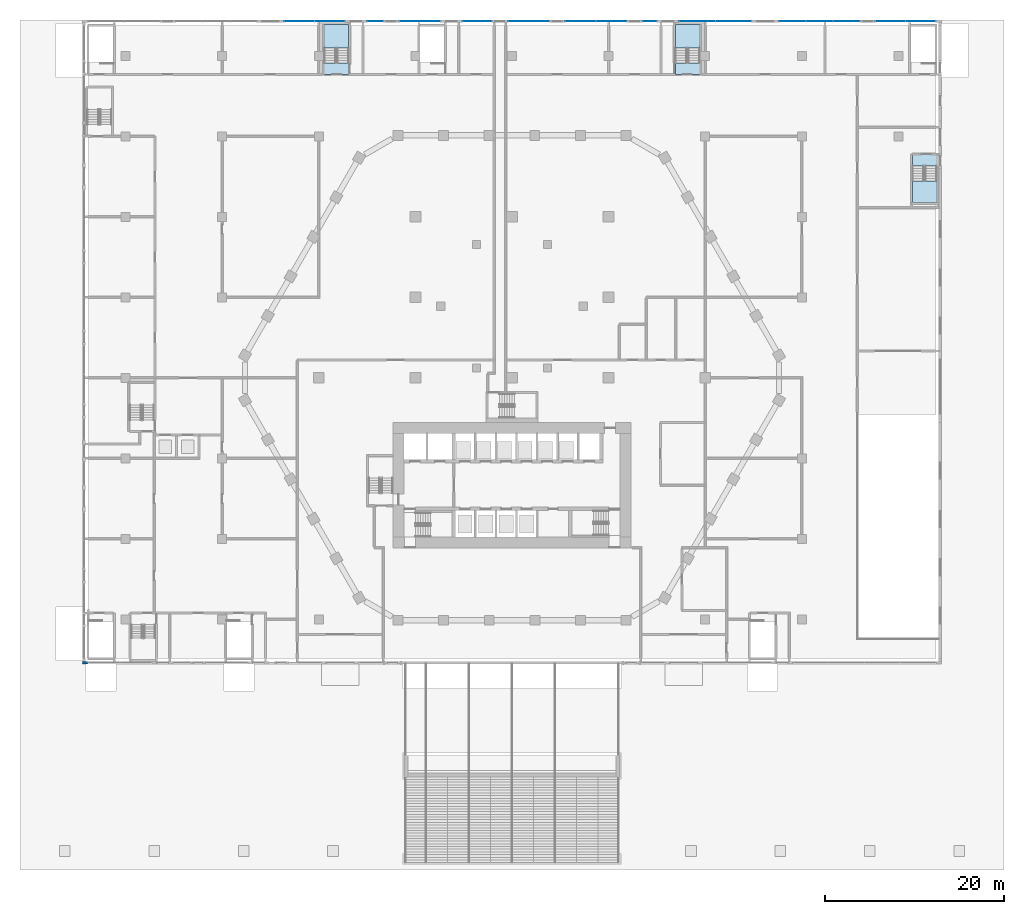
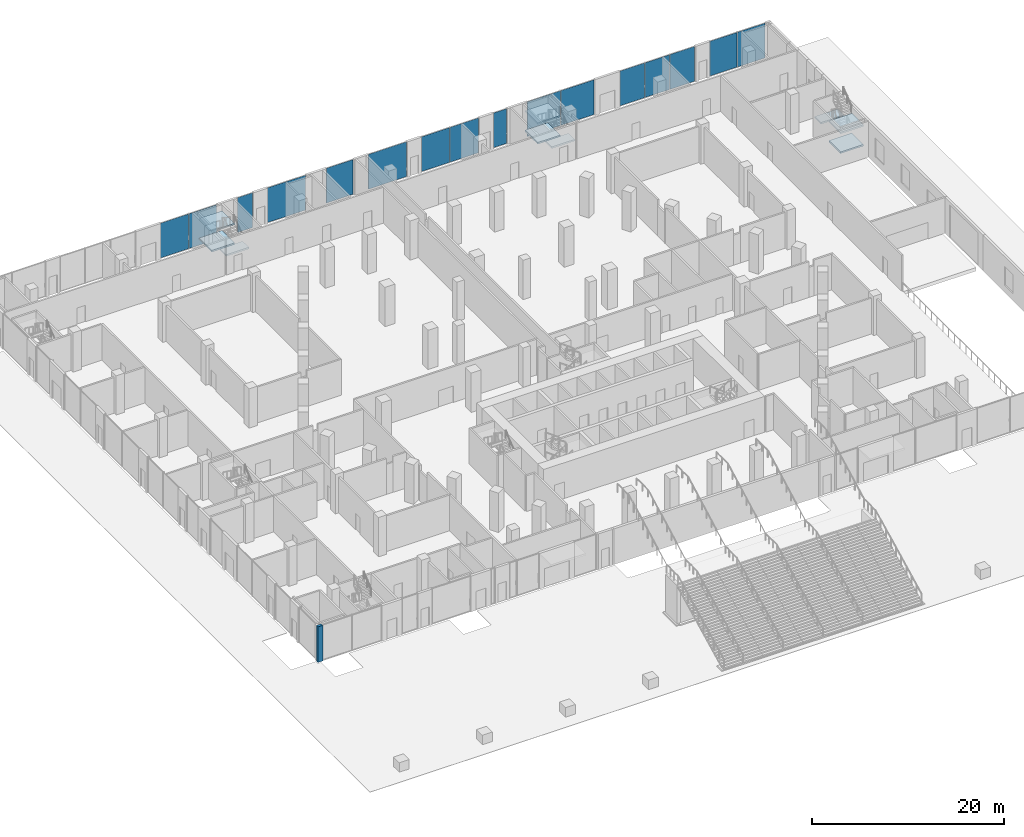
# One storey, part 19 of 57: 16 plates, 9 slabs, 1 wall, 13 elements without a shape of their own.
"""IFC4 building model written with IfcOpenShell, lengths in metres."""

import ifcopenshell
import ifcopenshell.guid

model = None  # the IFC model being written
_history = None  # IfcOwnerHistory: only IFC2X3 demands one
_inside = {}  # id of a spatial element -> (the spatial element, [elements in it])
_under = {}  # id of a project, library or spatial element -> (it, [spatial elements below it])
_declared = {}  # id of a project -> (the project, [libraries it declares])
_typed = {}  # id of a type object -> (the type object, [elements of that type])
_made_of = {}  # id of a material, layer set ... -> (it, [elements and type objects made of it])


def new_model(schema):
    """Start an empty IFC model of exactly this schema.

    Asked for "IFC4X3", IfcOpenShell would pick the latest addendum, in which some entities
    have other attributes; the version numbers below select the first issue.
    IFC2X3 requires an IfcOwnerHistory on every rooted entity: one is made here for all.
    """
    global model, _history
    if schema == "IFC4X3":
        model = ifcopenshell.file(schema_version=(4, 3, 0, 0))
    else:
        model = ifcopenshell.file(schema=schema)
    _inside.clear()
    _under.clear()
    _declared.clear()
    _typed.clear()
    _made_of.clear()
    _history = None
    if model.schema == "IFC2X3":
        org = make("IfcOrganization", Name="unknown")
        user = make(
            "IfcPersonAndOrganization",
            ThePerson=make("IfcPerson", FamilyName="unknown"),
            TheOrganization=org,
        )
        app = make(
            "IfcApplication",
            ApplicationDeveloper=org,
            Version="unknown",
            ApplicationFullName="unknown",
            ApplicationIdentifier="unknown",
        )
        _history = make(
            "IfcOwnerHistory",
            OwningUser=user,
            OwningApplication=app,
            ChangeAction="ADDED",
            CreationDate=0,
        )
    return model


def make(cls, **values):
    """One entity of the class cls with the attributes given. An attribute that is None is left unset."""
    return model.create_entity(
        cls, **{name: value for name, value in values.items() if value is not None}
    )


def rooted(cls, **values):
    """An entity with a GlobalId (a new one), such as an element, a storey or a relation."""
    return make(cls, GlobalId=ifcopenshell.guid.new(), OwnerHistory=_history, **values)


def si_unit(unit_type, name, prefix=None):
    """IfcSIUnit, for example si_unit("LENGTHUNIT", "METRE", prefix="MILLI")."""
    return make("IfcSIUnit", UnitType=unit_type, Prefix=prefix, Name=name)


def assignment(units):
    """IfcUnitAssignment: the units of a project."""
    return None if units is None else make("IfcUnitAssignment", Units=units)


def point(xyz):
    """IfcCartesianPoint."""
    return None if xyz is None else make("IfcCartesianPoint", Coordinates=xyz)


def direction(xyz):
    """IfcDirection."""
    return None if xyz is None else make("IfcDirection", DirectionRatios=xyz)


def frame(location, z_axis=None, x_axis=None):
    """IfcAxis2Placement3D, a coordinate frame: its origin and axes. An axis left out is left unset."""
    return make(
        "IfcAxis2Placement3D",
        Location=point(location),
        Axis=direction(z_axis),
        RefDirection=direction(x_axis),
    )


def frame_2d(location, x_axis=None):
    """IfcAxis2Placement2D, a coordinate frame in the plane: its origin and x axis."""
    return make(
        "IfcAxis2Placement2D", Location=point(location), RefDirection=direction(x_axis)
    )


def origin():
    """The frame at (0, 0, 0) with its axes left unset."""
    return frame((0.0, 0.0, 0.0))


def origin_2d():
    """The frame at (0, 0) in the plane with its x axis left unset."""
    return frame_2d((0.0, 0.0))


def place(relative_to, where):
    """IfcLocalPlacement: puts the frame where relative to a parent placement (None: the world)."""
    return make(
        "IfcLocalPlacement", PlacementRelTo=relative_to, RelativePlacement=where
    )


def context(
    kind, dimensions, precision=None, world=None, true_north=None, identifier=None
):
    """IfcGeometricRepresentationContext, for example the 3D "Model" context."""
    return make(
        "IfcGeometricRepresentationContext",
        ContextIdentifier=identifier,
        ContextType=kind,
        CoordinateSpaceDimension=dimensions,
        Precision=precision,
        WorldCoordinateSystem=world,
        TrueNorth=true_north,
    )


def subcontext(parent, identifier, kind, view, scale=None):
    """IfcGeometricRepresentationSubContext, for example "Body" below "Model"."""
    return make(
        "IfcGeometricRepresentationSubContext",
        ContextIdentifier=identifier,
        ContextType=kind,
        ParentContext=parent,
        TargetScale=scale,
        TargetView=view,
    )


def project(units=None, contexts=None):
    """IfcProject with its units and contexts."""
    return rooted(
        "IfcProject",
        Name="project",
        RepresentationContexts=contexts,
        UnitsInContext=assignment(units),
    )


def spatial(cls, under=None, at=None, **own):
    """A site, building, storey or space (cls), placed at a placement, below another one or the project."""
    s = rooted(cls, ObjectPlacement=at, **own)
    if under is not None:
        _under.setdefault(under.id(), (under, []))[1].append(s)
    return s


def polyline(points):
    """IfcPolyline through the points."""
    return make("IfcPolyline", Points=[point(p) for p in points])


def profile(cls, at=None, kind="AREA", **sizes):
    """A parametric profile (cls). Its sizes go by their IFC names, for example OverallWidth=200.0."""
    return make(cls, ProfileType=kind, Position=at, **sizes)


def rectangle(**sizes):
    """IfcRectangleProfileDef."""
    return profile("IfcRectangleProfileDef", **sizes)


def outline(outer, holes=None, kind="AREA"):
    """IfcArbitraryClosedProfileDef: a profile drawn as a closed curve; with holes, ...WithVoids."""
    if holes is None:
        return make("IfcArbitraryClosedProfileDef", ProfileType=kind, OuterCurve=outer)
    return make(
        "IfcArbitraryProfileDefWithVoids",
        ProfileType=kind,
        OuterCurve=outer,
        InnerCurves=holes,
    )


def extrude(swept, where, along, depth):
    """IfcExtrudedAreaSolid: the profile swept, set in the frame where, extruded along a direction by depth."""
    return make(
        "IfcExtrudedAreaSolid",
        SweptArea=swept,
        Position=where,
        ExtrudedDirection=direction(along),
        Depth=depth,
    )


def shape(context_of_items, identifier, shape_type, items):
    """IfcShapeRepresentation: the items that make up one representation, for example the "Body"."""
    return make(
        "IfcShapeRepresentation",
        ContextOfItems=context_of_items,
        RepresentationIdentifier=identifier,
        RepresentationType=shape_type,
        Items=items,
    )


def material(Name=None, Category=None):
    """IfcMaterial."""
    return make("IfcMaterial", Name=Name, Category=Category)


def layer(
    of_material, thickness, ventilated=None, Name=None, Category=None, Priority=None
):
    """IfcMaterialLayer: one layer of a wall or slab, of a material (None: an air gap)."""
    return make(
        "IfcMaterialLayer",
        Material=of_material,
        LayerThickness=thickness,
        IsVentilated=ventilated,
        Name=Name,
        Category=Category,
        Priority=Priority,
    )


def layer_set(layers, Name=None):
    """IfcMaterialLayerSet."""
    return make("IfcMaterialLayerSet", MaterialLayers=layers, LayerSetName=Name)


def made_of(thing, what):
    """Note that an element or type object is made of a material, layer set ...; save() writes the relation."""
    if what is not None:
        _made_of.setdefault(what.id(), (what, []))[1].append(thing)
    return thing


def type_object(cls, material=None, **own):
    """A type object (cls), such as IfcWallType, which elements share."""
    return made_of(rooted(cls, **own), material)


def element(
    cls,
    number,
    at=None,
    inside=None,
    cuts=None,
    type_object=None,
    material=None,
    context=None,
    identifier="Body",
    shape_type=None,
    held_by="IfcProductDefinitionShape",
    body=None,
    shapes=None,
    **own,
):
    """One element of the class cls, such as IfcWall. Its Tag is "e" and its number.

    at: its placement. inside: the storey or other place that contains it. cuts: it is an
    opening in that element (IfcRelVoidsElement). A single representation is given by context,
    identifier, shape_type and body (its items); several are given by shapes. held_by: the class
    of the entity that holds the representations. save() writes the other relations.
    """
    e = rooted(cls, Tag="e%d" % number, ObjectPlacement=at, **own)
    if body is not None:
        shapes = [shape(context, identifier, shape_type, body)]
    if shapes is not None:
        e.Representation = make(held_by, Representations=shapes)
    if inside is not None:
        _inside.setdefault(inside.id(), (inside, []))[1].append(e)
    if cuts is not None:
        rooted(
            "IfcRelVoidsElement", RelatingBuildingElement=cuts, RelatedOpeningElement=e
        )
    if type_object is not None:
        _typed.setdefault(type_object.id(), (type_object, []))[1].append(e)
    return made_of(e, material)


def aggregate(whole, parts):
    """IfcRelAggregates: a whole, such as a stair, and the parts it consists of."""
    return rooted("IfcRelAggregates", RelatingObject=whole, RelatedObjects=parts)


def save(model, path):
    """Write the relations noted so far, then the file.

    IfcRelAggregates (storeys below a building ...), IfcRelContainedInSpatialStructure (elements
    in a storey), IfcRelDefinesByType, IfcRelAssociatesMaterial and IfcRelDeclares: one each for
    every whole, place, type object, material and project.
    """
    for whole, parts in _under.values():
        aggregate(whole, parts)
    for where, things in _inside.values():
        rooted(
            "IfcRelContainedInSpatialStructure",
            RelatedElements=things,
            RelatingStructure=where,
        )
    for kind, things in _typed.values():
        rooted("IfcRelDefinesByType", RelatedObjects=things, RelatingType=kind)
    for what, things in _made_of.values():
        rooted("IfcRelAssociatesMaterial", RelatedObjects=things, RelatingMaterial=what)
    for by, libraries in _declared.values():
        rooted("IfcRelDeclares", RelatingContext=by, RelatedDefinitions=libraries)
    model.write(path)


model = new_model("IFC4")

# Units and contexts
model_context = context("Model", 3, precision=1e-05, world=origin(), true_north=direction((0.0, 1.0)))
body_context = subcontext(model_context, "Body", "Model", "MODEL_VIEW")
ifc_project = project(units=[si_unit("LENGTHUNIT", "METRE"), si_unit("AREAUNIT", "SQUARE_METRE"), si_unit("VOLUMEUNIT", "CUBIC_METRE"), si_unit("PLANEANGLEUNIT", "RADIAN"), si_unit("MASSUNIT", "GRAM", prefix="KILO")], contexts=[model_context])

# Site, building, storey
site_placement = place(None, origin())
site = spatial("IfcSite", under=ifc_project, at=site_placement, CompositionType="ELEMENT")
building_placement = place(site_placement, origin())
building = spatial("IfcBuilding", under=site, at=building_placement, Name="Beryl Residences", CompositionType="ELEMENT")
storey_placement = place(building_placement, origin())
storey = spatial("IfcBuildingStorey", under=building, at=storey_placement, Name="L00", CompositionType="ELEMENT", Elevation=0.0)

# Curtain wall, plates
ifc_material_1 = material(Name="Aluminium and clear glass", Category="aluminium")
curtain_wall_type = type_object("IfcCurtainWallType", Name="CW1 shopfront glazed wall", PredefinedType="NOTDEFINED", material=ifc_material_1)
curtain_wall_1_placement = place(storey_placement, origin())
curtain_wall_1 = element("IfcCurtainWall", 1, at=curtain_wall_1_placement, inside=storey, type_object=curtain_wall_type, Name="CW1 L00 N", PredefinedType="NOTDEFINED")
ifc_material_2 = material(Name="Clear laminated glass", Category="glass")
ifc_layer_1 = layer(ifc_material_2, 0.028076171875)
ifc_layer_set_1 = layer_set([ifc_layer_1], Name="CW1-P glazing panel 28 mm")
plate_type = type_object("IfcPlateType", Name="CW1-P glazing panel 28 mm", PredefinedType="CURTAIN_PANEL", material=ifc_layer_set_1)
plate_1_placement = place(storey_placement, frame((45.691162109375, 39.85009765625, 0.06005859375), z_axis=(0.0, 0.0, 1.0), x_axis=(-1.0, 0.0, 0.0)))
plate_1 = element("IfcPlate", 2, at=plate_1_placement, type_object=plate_type, Name="CW1 panel 1.1", PredefinedType="CURTAIN_PANEL", context=body_context, shape_type="SweptSolid", body=[
    extrude(rectangle(XDim=3.297607421875, YDim=0.028076171875, at=origin_2d()), origin(), (0.0, 0.0, 1.0), 4.429931640625),
])
plate_2_placement = place(storey_placement, frame((42.333740234375, 39.85009765625, 0.06005859375), z_axis=(0.0, 0.0, 1.0), x_axis=(-1.0, 0.0, 0.0)))
plate_2 = element("IfcPlate", 3, at=plate_2_placement, type_object=plate_type, Name="CW1 panel 2.1", PredefinedType="CURTAIN_PANEL", context=body_context, shape_type="SweptSolid", body=[
    extrude(rectangle(XDim=3.297607421875, YDim=0.028076171875, at=origin_2d()), origin(), (0.0, 0.0, 1.0), 4.429931640625),
])
aggregate(curtain_wall_1, [plate_1, plate_2])

curtain_wall_2_placement = place(storey_placement, origin())
curtain_wall_2 = element("IfcCurtainWall", 4, at=curtain_wall_2_placement, inside=storey, type_object=curtain_wall_type, Name="CW1 L00 N", PredefinedType="NOTDEFINED")
plate_3_placement = place(storey_placement, frame((37.38916015625, 39.85009765625, 0.06005859375), z_axis=(0.0, 0.0, 1.0), x_axis=(-1.0, 0.0, 0.0)))
plate_3 = element("IfcPlate", 5, at=plate_3_placement, type_object=plate_type, Name="CW1 panel 1.1", PredefinedType="CURTAIN_PANEL", context=body_context, shape_type="SweptSolid", body=[
    extrude(rectangle(XDim=2.95166015625, YDim=0.028076171875, at=origin_2d()), origin(), (0.0, 0.0, 1.0), 4.429931640625),
])
plate_4_placement = place(storey_placement, frame((34.362548828125, 39.85009765625, 0.06005859375), z_axis=(0.0, 0.0, 1.0), x_axis=(-1.0, 0.0, 0.0)))
plate_4 = element("IfcPlate", 6, at=plate_4_placement, type_object=plate_type, Name="CW1 panel 2.1", PredefinedType="CURTAIN_PANEL", context=body_context, shape_type="SweptSolid", body=[
    extrude(rectangle(XDim=2.981689453125, YDim=0.028076171875, at=origin_2d()), origin(), (0.0, 0.0, 1.0), 4.429931640625),
])
plate_5_placement = place(storey_placement, frame((31.3359375, 39.85009765625, 0.06005859375), z_axis=(0.0, 0.0, 1.0), x_axis=(-1.0, 0.0, 0.0)))
plate_5 = element("IfcPlate", 7, at=plate_5_placement, type_object=plate_type, Name="CW1 panel 3.1", PredefinedType="CURTAIN_PANEL", context=body_context, shape_type="SweptSolid", body=[
    extrude(rectangle(XDim=2.95166015625, YDim=0.028076171875, at=origin_2d()), origin(), (0.0, 0.0, 1.0), 4.429931640625),
])
aggregate(curtain_wall_2, [plate_3, plate_4, plate_5])

curtain_wall_3_placement = place(storey_placement, origin())
curtain_wall_3 = element("IfcCurtainWall", 8, at=curtain_wall_3_placement, inside=storey, type_object=curtain_wall_type, Name="CW1 L00 N", PredefinedType="NOTDEFINED")
plate_6_placement = place(storey_placement, frame((24.74755859375, 39.85009765625, 0.06005859375), z_axis=(0.0, 0.0, 1.0), x_axis=(-1.0, 0.0, 0.0)))
plate_6 = element("IfcPlate", 9, at=plate_6_placement, type_object=plate_type, Name="CW1 panel 1.1", PredefinedType="CURTAIN_PANEL", context=body_context, shape_type="SweptSolid", body=[
    extrude(rectangle(XDim=3.985107421875, YDim=0.028076171875, at=origin_2d()), origin(), (0.0, 0.0, 1.0), 4.429931640625),
])
plate_7_placement = place(storey_placement, frame((20.702392578125, 39.85009765625, 0.06005859375), z_axis=(0.0, 0.0, 1.0), x_axis=(-1.0, 0.0, 0.0)))
plate_7 = element("IfcPlate", 10, at=plate_7_placement, type_object=plate_type, Name="CW1 panel 2.1", PredefinedType="CURTAIN_PANEL", context=body_context, shape_type="SweptSolid", body=[
    extrude(rectangle(XDim=3.985107421875, YDim=0.028076171875, at=origin_2d()), origin(), (0.0, 0.0, 1.0), 4.429931640625),
])
aggregate(curtain_wall_3, [plate_6, plate_7])

# Curtain wall, plate
curtain_wall_4_placement = place(storey_placement, origin())
curtain_wall_4 = element("IfcCurtainWall", 11, at=curtain_wall_4_placement, inside=storey, type_object=curtain_wall_type, Name="CW1 L00 N", PredefinedType="NOTDEFINED")
plate_8_placement = place(storey_placement, frame((15.41259765625, 39.85009765625, 0.06005859375), z_axis=(0.0, 0.0, 1.0), x_axis=(-1.0, 0.0, 0.0)))
plate_8 = element("IfcPlate", 12, at=plate_8_placement, type_object=plate_type, Name="CW1 panel 1.1", PredefinedType="CURTAIN_PANEL", context=body_context, shape_type="SweptSolid", body=[
    extrude(rectangle(XDim=1.554931640625, YDim=0.028076171875, at=origin_2d()), origin(), (0.0, 0.0, 1.0), 4.429931640625),
])
aggregate(curtain_wall_4, [plate_8])

# Curtain wall, plates
curtain_wall_5_placement = place(storey_placement, origin())
curtain_wall_5 = element("IfcCurtainWall", 13, at=curtain_wall_5_placement, inside=storey, type_object=curtain_wall_type, Name="CW1 L00 N", PredefinedType="NOTDEFINED")
plate_9_placement = place(storey_placement, frame((11.1162109375, 39.85009765625, 0.06005859375), z_axis=(0.0, 0.0, 1.0), x_axis=(-1.0, 0.0, 0.0)))
plate_9 = element("IfcPlate", 14, at=plate_9_placement, type_object=plate_type, Name="CW1 panel 1.1", PredefinedType="CURTAIN_PANEL", context=body_context, shape_type="SweptSolid", body=[
    extrude(rectangle(XDim=3.3974609375, YDim=0.028076171875, at=origin_2d()), origin(), (0.0, 0.0, 1.0), 4.429931640625),
])
plate_10_placement = place(storey_placement, frame((7.65869140625, 39.85009765625, 0.06005859375), z_axis=(0.0, 0.0, 1.0), x_axis=(-1.0, 0.0, 0.0)))
plate_10 = element("IfcPlate", 15, at=plate_10_placement, type_object=plate_type, Name="CW1 panel 2.1", PredefinedType="CURTAIN_PANEL", context=body_context, shape_type="SweptSolid", body=[
    extrude(rectangle(XDim=3.3974609375, YDim=0.028076171875, at=origin_2d()), origin(), (0.0, 0.0, 1.0), 4.429931640625),
])
aggregate(curtain_wall_5, [plate_9, plate_10])

# Curtain wall, plate
curtain_wall_6_placement = place(storey_placement, origin())
curtain_wall_6 = element("IfcCurtainWall", 16, at=curtain_wall_6_placement, inside=storey, type_object=curtain_wall_type, Name="CW1 L00 N", PredefinedType="NOTDEFINED")
plate_11_placement = place(storey_placement, frame((1.85009765625, 39.85009765625, 0.06005859375), z_axis=(0.0, 0.0, 1.0), x_axis=(-1.0, 0.0, 0.0)))
plate_11 = element("IfcPlate", 17, at=plate_11_placement, type_object=plate_type, Name="CW1 panel 1.1", PredefinedType="CURTAIN_PANEL", context=body_context, shape_type="SweptSolid", body=[
    extrude(rectangle(XDim=4.580078125, YDim=0.028076171875, at=origin_2d()), origin(), (0.0, 0.0, 1.0), 4.429931640625),
])
aggregate(curtain_wall_6, [plate_11])

curtain_wall_7_placement = place(storey_placement, origin())
curtain_wall_7 = element("IfcCurtainWall", 18, at=curtain_wall_7_placement, inside=storey, type_object=curtain_wall_type, Name="CW1 L00 N", PredefinedType="NOTDEFINED")
plate_12_placement = place(storey_placement, frame((-3.875, 39.85009765625, 0.06005859375), z_axis=(0.0, 0.0, 1.0), x_axis=(-1.0, 0.0, 0.0)))
plate_12 = element("IfcPlate", 19, at=plate_12_placement, type_object=plate_type, Name="CW1 panel 1.1", PredefinedType="CURTAIN_PANEL", context=body_context, shape_type="SweptSolid", body=[
    extrude(rectangle(XDim=3.22998046875, YDim=0.028076171875, at=origin_2d()), origin(), (0.0, 0.0, 1.0), 4.429931640625),
])
aggregate(curtain_wall_7, [plate_12])

curtain_wall_8_placement = place(storey_placement, origin())
curtain_wall_8 = element("IfcCurtainWall", 20, at=curtain_wall_8_placement, inside=storey, type_object=curtain_wall_type, Name="CW1 L00 N", PredefinedType="NOTDEFINED")
plate_13_placement = place(storey_placement, frame((-10.28759765625, 39.85009765625, 0.06005859375), z_axis=(0.0, 0.0, 1.0), x_axis=(-1.0, 0.0, 0.0)))
plate_13 = element("IfcPlate", 21, at=plate_13_placement, type_object=plate_type, Name="CW1 panel 1.1", PredefinedType="CURTAIN_PANEL", context=body_context, shape_type="SweptSolid", body=[
    extrude(rectangle(XDim=4.554931640625, YDim=0.028076171875, at=origin_2d()), origin(), (0.0, 0.0, 1.0), 4.429931640625),
])
aggregate(curtain_wall_8, [plate_13])

curtain_wall_9_placement = place(storey_placement, origin())
curtain_wall_9 = element("IfcCurtainWall", 22, at=curtain_wall_9_placement, inside=storey, type_object=curtain_wall_type, Name="CW1 L00 N", PredefinedType="NOTDEFINED")
plate_14_placement = place(storey_placement, frame((-15.28759765625, 39.85009765625, 0.06005859375), z_axis=(0.0, 0.0, 1.0), x_axis=(-1.0, 0.0, 0.0)))
plate_14 = element("IfcPlate", 23, at=plate_14_placement, type_object=plate_type, Name="CW1 panel 1.1", PredefinedType="CURTAIN_PANEL", context=body_context, shape_type="SweptSolid", body=[
    extrude(rectangle(XDim=1.804931640625, YDim=0.028076171875, at=origin_2d()), origin(), (0.0, 0.0, 1.0), 4.429931640625),
])
aggregate(curtain_wall_9, [plate_14])

# Curtain wall, plates
curtain_wall_10_placement = place(storey_placement, origin())
curtain_wall_10 = element("IfcCurtainWall", 24, at=curtain_wall_10_placement, inside=storey, type_object=curtain_wall_type, Name="CW1 L00 N", PredefinedType="NOTDEFINED")
plate_15_placement = place(storey_placement, frame((-20.37744140625, 39.85009765625, 0.06005859375), z_axis=(0.0, 0.0, 1.0), x_axis=(-1.0, 0.0, 0.0)))
plate_15 = element("IfcPlate", 25, at=plate_15_placement, type_object=plate_type, Name="CW1 panel 1.1", PredefinedType="CURTAIN_PANEL", context=body_context, shape_type="SweptSolid", body=[
    extrude(rectangle(XDim=3.3349609375, YDim=0.028076171875, at=origin_2d()), origin(), (0.0, 0.0, 1.0), 4.429931640625),
])
plate_16_placement = place(storey_placement, frame((-23.7724609375, 39.85009765625, 0.06005859375), z_axis=(0.0, 0.0, 1.0), x_axis=(-1.0, 0.0, 0.0)))
plate_16 = element("IfcPlate", 26, at=plate_16_placement, type_object=plate_type, Name="CW1 panel 2.1", PredefinedType="CURTAIN_PANEL", context=body_context, shape_type="SweptSolid", body=[
    extrude(rectangle(XDim=3.3349609375, YDim=0.028076171875, at=origin_2d()), origin(), (0.0, 0.0, 1.0), 4.429931640625),
])
aggregate(curtain_wall_10, [plate_15, plate_16])

# Stair, slabs
ifc_material_3 = material(Name="Concrete C40/50", Category="concrete")
stair_type = type_object("IfcStairType", Name="ST1 protected exit stair, half-turn, 1300 mm flights", PredefinedType="HALF_TURN_STAIR", material=ifc_material_3)
stair_1_placement = place(storey_placement, origin())
stair_1 = element("IfcStair", 27, at=stair_1_placement, inside=storey, type_object=stair_type, Name="L00 Podium exit stair 1", PredefinedType="HALF_TURN_STAIR")
ifc_material_4 = material(Name="Concrete C40/50", Category="concrete")
ifc_layer_2 = layer(ifc_material_4, 0.199951171875)
ifc_layer_set_2 = layer_set([ifc_layer_2], Name="SLD1 stair landing 200 mm")
slab_type = type_object("IfcSlabType", Name="SLD1 stair landing 200 mm", PredefinedType="LANDING", material=ifc_layer_set_2)
slab_1_placement = place(storey_placement, frame((0.0, 0.0, 1.050048828125)))
slab_1 = element("IfcSlab", 28, at=slab_1_placement, type_object=slab_type, Name="PS-1 landing 1", PredefinedType="LANDING", context=body_context, shape_type="SweptSolid", body=[
    extrude(outline(polyline([(-18.25, 36.8798828125), (-18.25, 39.5), (-21.0, 39.5), (-21.0, 36.8798828125), (-18.25, 36.8798828125)])), origin(), (0.0, 0.0, 1.0), 0.199951171875),
])
slab_2_placement = place(storey_placement, frame((0.0, 0.0, 2.300048828125)))
slab_2 = element("IfcSlab", 29, at=slab_2_placement, type_object=slab_type, Name="PS-1 landing 2", PredefinedType="LANDING", context=body_context, shape_type="SweptSolid", body=[
    extrude(outline(polyline([(-18.25, 33.89990234375), (-18.25, 35.199951171875), (-21.0, 35.199951171875), (-21.0, 33.89990234375), (-18.25, 33.89990234375)])), origin(), (0.0, 0.0, 1.0), 0.199951171875),
])
slab_3_placement = place(storey_placement, frame((0.0, 0.0, 3.550048828125)))
slab_3 = element("IfcSlab", 30, at=slab_3_placement, type_object=slab_type, Name="PS-1 landing 3", PredefinedType="LANDING", context=body_context, shape_type="SweptSolid", body=[
    extrude(outline(polyline([(-18.25, 36.8798828125), (-18.25, 39.5), (-21.0, 39.5), (-21.0, 36.8798828125), (-18.25, 36.8798828125)])), origin(), (0.0, 0.0, 1.0), 0.199951171875),
])
aggregate(stair_1, [slab_1, slab_2, slab_3])

stair_2_placement = place(storey_placement, origin())
stair_2 = element("IfcStair", 31, at=stair_2_placement, inside=storey, type_object=stair_type, Name="L00 Podium exit stair 2", PredefinedType="HALF_TURN_STAIR")
slab_4_placement = place(storey_placement, frame((0.0, 0.0, 1.050048828125)))
slab_4 = element("IfcSlab", 32, at=slab_4_placement, type_object=slab_type, Name="PS-2 landing 1", PredefinedType="LANDING", context=body_context, shape_type="SweptSolid", body=[
    extrude(outline(polyline([(21.0, 36.8798828125), (21.0, 39.5), (18.25, 39.5), (18.25, 36.8798828125), (21.0, 36.8798828125)])), origin(), (0.0, 0.0, 1.0), 0.199951171875),
])
slab_5_placement = place(storey_placement, frame((0.0, 0.0, 2.300048828125)))
slab_5 = element("IfcSlab", 33, at=slab_5_placement, type_object=slab_type, Name="PS-2 landing 2", PredefinedType="LANDING", context=body_context, shape_type="SweptSolid", body=[
    extrude(outline(polyline([(21.0, 33.89990234375), (21.0, 35.199951171875), (18.25, 35.199951171875), (18.25, 33.89990234375), (21.0, 33.89990234375)])), origin(), (0.0, 0.0, 1.0), 0.199951171875),
])
slab_6_placement = place(storey_placement, frame((0.0, 0.0, 3.550048828125)))
slab_6 = element("IfcSlab", 34, at=slab_6_placement, type_object=slab_type, Name="PS-2 landing 3", PredefinedType="LANDING", context=body_context, shape_type="SweptSolid", body=[
    extrude(outline(polyline([(21.0, 36.8798828125), (21.0, 39.5), (18.25, 39.5), (18.25, 36.8798828125), (21.0, 36.8798828125)])), origin(), (0.0, 0.0, 1.0), 0.199951171875),
])
aggregate(stair_2, [slab_4, slab_5, slab_6])

stair_3_placement = place(storey_placement, origin())
stair_3 = element("IfcStair", 35, at=stair_3_placement, inside=storey, type_object=stair_type, Name="L00 Podium exit stair 5", PredefinedType="HALF_TURN_STAIR")
slab_7_placement = place(storey_placement, frame((0.0, 0.0, 1.050048828125)))
slab_7 = element("IfcSlab", 36, at=slab_7_placement, type_object=slab_type, Name="PS-5 landing 1", PredefinedType="LANDING", context=body_context, shape_type="SweptSolid", body=[
    extrude(outline(polyline([(44.75, 22.02001953125), (44.75, 19.60009765625), (47.5, 19.60009765625), (47.5, 22.02001953125), (44.75, 22.02001953125)])), origin(), (0.0, 0.0, 1.0), 0.199951171875),
])
slab_8_placement = place(storey_placement, frame((0.0, 0.0, 2.300048828125)))
slab_8 = element("IfcSlab", 37, at=slab_8_placement, type_object=slab_type, Name="PS-5 landing 2", PredefinedType="LANDING", context=body_context, shape_type="SweptSolid", body=[
    extrude(outline(polyline([(44.75, 25.0), (44.75, 23.699951171875), (47.5, 23.699951171875), (47.5, 25.0), (44.75, 25.0)])), origin(), (0.0, 0.0, 1.0), 0.199951171875),
])
slab_9_placement = place(storey_placement, frame((0.0, 0.0, 3.550048828125)))
slab_9 = element("IfcSlab", 38, at=slab_9_placement, type_object=slab_type, Name="PS-5 landing 3", PredefinedType="LANDING", context=body_context, shape_type="SweptSolid", body=[
    extrude(outline(polyline([(44.75, 22.02001953125), (44.75, 19.60009765625), (47.5, 19.60009765625), (47.5, 22.02001953125), (44.75, 22.02001953125)])), origin(), (0.0, 0.0, 1.0), 0.199951171875),
])
aggregate(stair_3, [slab_7, slab_8, slab_9])

# Wall
ifc_material_5 = material(Name="Composite metal panel with mineral wool insulation")
ifc_layer_3 = layer(ifc_material_5, 0.300048828125)
ifc_layer_set_3 = layer_set([ifc_layer_3], Name="ES1 pale metal composite panel wall 300 mm")
wall_type = type_object("IfcWallType", Name="ES1 pale metal composite panel wall 300 mm", PredefinedType="SOLIDWALL", material=ifc_layer_set_3)
wall_placement = place(storey_placement, frame((-48.0, -31.85009765625, 0.0), z_axis=(0.0, 0.0, 1.0), x_axis=(1.0, 0.0, 0.0)))
element("IfcWall", 39, at=wall_placement, inside=storey, type_object=wall_type, Name="ES1 external wall L00 S 1", PredefinedType="SOLIDWALL", context=body_context, shape_type="SweptSolid", body=[
    extrude(rectangle(XDim=0.60009765625, YDim=0.300048828125, at=frame_2d((0.300048828125, 0.0))), origin(), (0.0, 0.0, 1.0), 4.550048828125),
])

save(model, "model.ifc")
